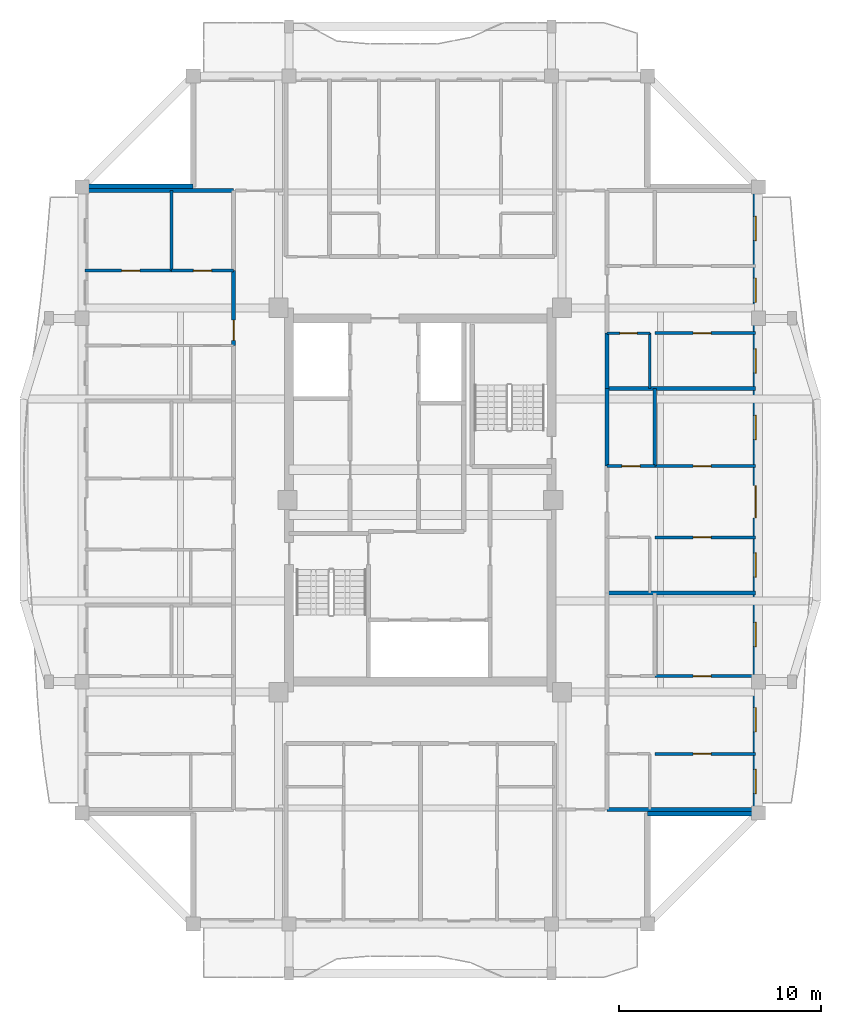
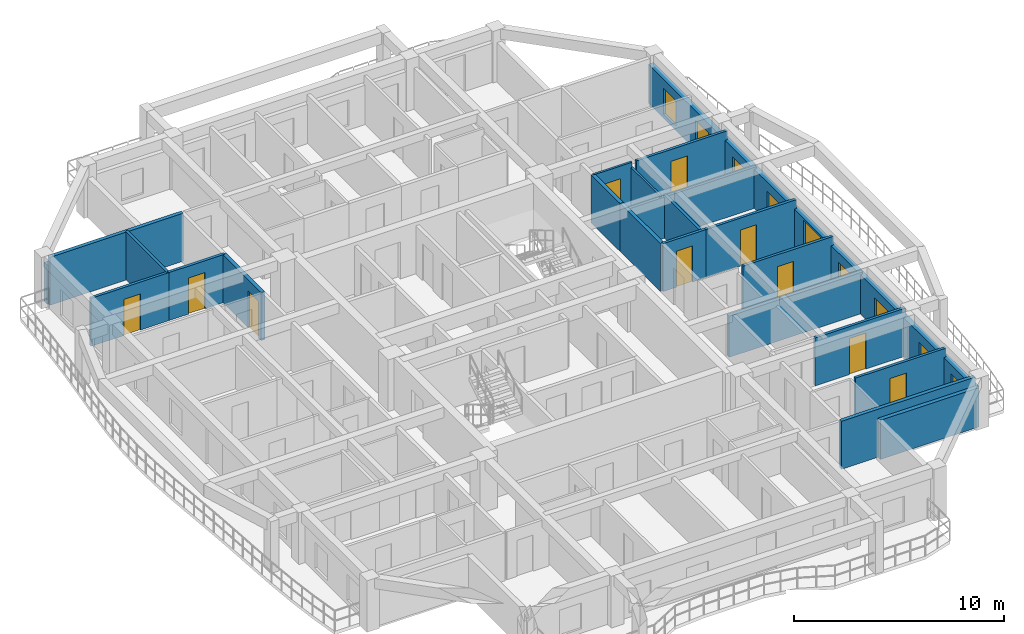
# One storey, part 5 of 13: 22 walls, 11 doors, 8 windows, 19 openings.
"""IFC4 building model written with IfcOpenShell, lengths in metres."""

from ifc_helpers import new_model, si_unit, direction, frame, frame_2d, origin, place, context, subcontext, project, spatial, rectangle, extrude, source, transform, mapped, material, layer, layer_set, type_object, element, fill, save


model = new_model("IFC4")

# Units and contexts
model_context = context("Model", 3, precision=1e-05, world=origin(), true_north=direction((0.0, 1.0)))
body_context = subcontext(model_context, "Body", "Model", "MODEL_VIEW")
ifc_project = project(units=[si_unit("LENGTHUNIT", "METRE"), si_unit("AREAUNIT", "SQUARE_METRE"), si_unit("VOLUMEUNIT", "CUBIC_METRE"), si_unit("PLANEANGLEUNIT", "RADIAN"), si_unit("MASSUNIT", "GRAM", prefix="KILO")], contexts=[model_context])

# Site, building, storey
site_placement = place(None, origin())
site = spatial("IfcSite", under=ifc_project, at=site_placement, CompositionType="ELEMENT")
building_placement = place(site_placement, origin())
building = spatial("IfcBuilding", under=site, at=building_placement, Name="Saelheon Loggia Tower", CompositionType="ELEMENT")
storey_placement = place(building_placement, frame((0.0, 0.0, 223.199951171875)))
storey = spatial("IfcBuildingStorey", under=building, at=storey_placement, Name="L69", CompositionType="ELEMENT", Elevation=223.199951171875)

# Wall, openings, windows, door
ifc_material_1 = material(Name="Architectural Precast Concrete C40/50", Category="concrete")
ifc_layer_1 = layer(ifc_material_1, 0.280029296875)
ifc_layer_set_1 = layer_set([ifc_layer_1], Name="Architectural Precast Concrete C40/50")
wall_type_1 = type_object("IfcWallType", Name="Wall_Ext_Loggia_280", PredefinedType="SOLIDWALL", material=ifc_layer_set_1)
wall_1_placement = place(storey_placement, frame((54.610107421875, 11.5, 0.0), z_axis=(0.0, 0.0, 1.0), x_axis=(0.0, 1.0, 0.0)))
wall_1 = element("IfcWall", 1, at=wall_1_placement, inside=storey, type_object=wall_type_1, Name="L69 East Loggia Inner Wall", PredefinedType="SOLIDWALL", context=body_context, shape_type="SweptSolid", body=[
    extrude(rectangle(XDim=31.0, YDim=0.280029296875, at=frame_2d((15.5, 0.0))), origin(), (0.0, 0.0, 1.0), 2.280029296875),
])
opening_1_placement = place(wall_1_placement, frame((0.9599609375, 0.0, 0.25)))
opening_1 = element("IfcOpeningElement", 2, at=opening_1_placement, cuts=wall_1, Name="Opening WN-03", PredefinedType="OPENING", context=body_context, shape_type="SweptSolid", body=[
    extrude(rectangle(XDim=1.199951171875, YDim=1.5, at=frame_2d((0.60009765625, 0.75))), frame((0.0, 0.152099609375, 0.0), z_axis=(0.0, -1.0, 0.0), x_axis=(1.0, 0.0, 0.0)), (0.0, 0.0, 1.0), 0.303955078125),
])
opening_2_placement = place(wall_1_placement, frame((4.02001953125, 0.0, 0.25)))
opening_2 = element("IfcOpeningElement", 3, at=opening_2_placement, cuts=wall_1, Name="Opening WN-03", PredefinedType="OPENING", context=body_context, shape_type="SweptSolid", body=[
    extrude(rectangle(XDim=1.199951171875, YDim=1.5, at=frame_2d((0.60009765625, 0.75))), frame((0.0, 0.152099609375, 0.0), z_axis=(0.0, -1.0, 0.0), x_axis=(1.0, 0.0, 0.0)), (0.0, 0.0, 1.0), 0.303955078125),
])
opening_3_placement = place(wall_1_placement, frame((8.241943359375, 0.0, 0.25)))
opening_3 = element("IfcOpeningElement", 4, at=opening_3_placement, cuts=wall_1, Name="Opening WN-03", PredefinedType="OPENING", context=body_context, shape_type="SweptSolid", body=[
    extrude(rectangle(XDim=1.199951171875, YDim=1.5, at=frame_2d((0.60009765625, 0.75))), frame((0.0, 0.152099609375, 0.0), z_axis=(0.0, -1.0, 0.0), x_axis=(1.0, 0.0, 0.0)), (0.0, 0.0, 1.0), 0.303955078125),
])
opening_4_placement = place(wall_1_placement, frame((11.678955078125, 0.0, 0.25)))
opening_4 = element("IfcOpeningElement", 5, at=opening_4_placement, cuts=wall_1, Name="Opening WN-03", PredefinedType="OPENING", context=body_context, shape_type="SweptSolid", body=[
    extrude(rectangle(XDim=1.199951171875, YDim=1.5, at=frame_2d((0.60009765625, 0.75))), frame((0.0, 0.152099609375, 0.0), z_axis=(0.0, -1.0, 0.0), x_axis=(1.0, 0.0, 0.0)), (0.0, 0.0, 1.0), 0.303955078125),
])
opening_5_placement = place(wall_1_placement, frame((16.21337890625, 0.0, 0.0), z_axis=(0.0, 0.0, 1.0), x_axis=(-1.0, 0.0, 0.0)))
opening_5 = element("IfcOpeningElement", 6, at=opening_5_placement, cuts=wall_1, Name="Opening DLG-1", PredefinedType="OPENING", context=body_context, shape_type="SweptSolid", body=[
    extrude(rectangle(XDim=1.60009765625, YDim=2.14990234375, at=frame_2d((0.800048828125, 1.074951171875))), frame((0.0, 0.152099609375, 0.0), z_axis=(0.0, -1.0, 0.0), x_axis=(1.0, 0.0, 0.0)), (0.0, 0.0, 1.0), 0.303955078125),
])
opening_6_placement = place(wall_1_placement, frame((18.493896484375, 0.0, 0.25)))
opening_6 = element("IfcOpeningElement", 7, at=opening_6_placement, cuts=wall_1, Name="Opening WN-03", PredefinedType="OPENING", context=body_context, shape_type="SweptSolid", body=[
    extrude(rectangle(XDim=1.199951171875, YDim=1.5, at=frame_2d((0.60009765625, 0.75))), frame((0.0, 0.152099609375, 0.0), z_axis=(0.0, -1.0, 0.0), x_axis=(1.0, 0.0, 0.0)), (0.0, 0.0, 1.0), 0.303955078125),
])
opening_7_placement = place(wall_1_placement, frame((21.787841796875, 0.0, 0.25)))
opening_7 = element("IfcOpeningElement", 8, at=opening_7_placement, cuts=wall_1, Name="Opening WN-03", PredefinedType="OPENING", context=body_context, shape_type="SweptSolid", body=[
    extrude(rectangle(XDim=1.199951171875, YDim=1.5, at=frame_2d((0.60009765625, 0.75))), frame((0.0, 0.152099609375, 0.0), z_axis=(0.0, -1.0, 0.0), x_axis=(1.0, 0.0, 0.0)), (0.0, 0.0, 1.0), 0.303955078125),
])
opening_8_placement = place(wall_1_placement, frame((25.2919921875, 0.0, 0.25)))
opening_8 = element("IfcOpeningElement", 9, at=opening_8_placement, cuts=wall_1, Name="Opening WN-03", PredefinedType="OPENING", context=body_context, shape_type="SweptSolid", body=[
    extrude(rectangle(XDim=1.199951171875, YDim=1.5, at=frame_2d((0.60009765625, 0.75))), frame((0.0, 0.152099609375, 0.0), z_axis=(0.0, -1.0, 0.0), x_axis=(1.0, 0.0, 0.0)), (0.0, 0.0, 1.0), 0.303955078125),
])
opening_9_placement = place(wall_1_placement, frame((28.35205078125, 0.0, 0.25)))
opening_9 = element("IfcOpeningElement", 10, at=opening_9_placement, cuts=wall_1, Name="Opening WN-03", PredefinedType="OPENING", context=body_context, shape_type="SweptSolid", body=[
    extrude(rectangle(XDim=1.199951171875, YDim=1.5, at=frame_2d((0.60009765625, 0.75))), frame((0.0, 0.152099609375, 0.0), z_axis=(0.0, -1.0, 0.0), x_axis=(1.0, 0.0, 0.0)), (0.0, 0.0, 1.0), 0.303955078125),
])
ifc_material_2 = material(Name="Thermal-Break Aluminium and Triple Low-E Glass", Category="aluminium")
window_type = type_object("IfcWindowType", Name="Win_Bedroom_1200x1500", PartitioningType="SINGLE_PANEL", PredefinedType="WINDOW", material=ifc_material_2)
shared_shape_1 = source(origin(), body_context, "Body", "SweptSolid", [
    extrude(rectangle(XDim=1.199951171875, YDim=1.5, at=frame_2d((0.60009765625, 0.75))), frame((0.0, 0.030029296875, 0.0), z_axis=(0.0, -1.0, 0.0), x_axis=(1.0, 0.0, 0.0)), (0.0, 0.0, 1.0), 0.06005859375),
])
window_1_placement = place(opening_1_placement, origin())
window_1 = element("IfcWindow", 11, at=window_1_placement, inside=storey, type_object=window_type, Name="L69 E Dwelling Window 1", OverallHeight=1.5, OverallWidth=1.199951171875, PartitioningType="SINGLE_PANEL", PredefinedType="WINDOW", context=body_context, shape_type="MappedRepresentation", body=[
    mapped(shared_shape_1, transform((0.0, 0.0, 0.0), scale=1.0)),
])
fill(opening_1, window_1)
window_2_placement = place(opening_2_placement, origin())
window_2 = element("IfcWindow", 12, at=window_2_placement, inside=storey, type_object=window_type, Name="L69 E Dwelling Window 2", OverallHeight=1.5, OverallWidth=1.199951171875, PartitioningType="SINGLE_PANEL", PredefinedType="WINDOW", context=body_context, shape_type="MappedRepresentation", body=[
    mapped(shared_shape_1, transform((0.0, 0.0, 0.0), scale=1.0)),
])
fill(opening_2, window_2)
window_3_placement = place(opening_3_placement, origin())
window_3 = element("IfcWindow", 13, at=window_3_placement, inside=storey, type_object=window_type, Name="L69 E Dwelling Window 3", OverallHeight=1.5, OverallWidth=1.199951171875, PartitioningType="SINGLE_PANEL", PredefinedType="WINDOW", context=body_context, shape_type="MappedRepresentation", body=[
    mapped(shared_shape_1, transform((0.0, 0.0, 0.0), scale=1.0)),
])
fill(opening_3, window_3)
window_4_placement = place(opening_4_placement, origin())
window_4 = element("IfcWindow", 14, at=window_4_placement, inside=storey, type_object=window_type, Name="L69 E Dwelling Window 4", OverallHeight=1.5, OverallWidth=1.199951171875, PartitioningType="SINGLE_PANEL", PredefinedType="WINDOW", context=body_context, shape_type="MappedRepresentation", body=[
    mapped(shared_shape_1, transform((0.0, 0.0, 0.0), scale=1.0)),
])
fill(opening_4, window_4)
window_5_placement = place(opening_6_placement, origin())
window_5 = element("IfcWindow", 15, at=window_5_placement, inside=storey, type_object=window_type, Name="L69 E Dwelling Window 6", OverallHeight=1.5, OverallWidth=1.199951171875, PartitioningType="SINGLE_PANEL", PredefinedType="WINDOW", context=body_context, shape_type="MappedRepresentation", body=[
    mapped(shared_shape_1, transform((0.0, 0.0, 0.0), scale=1.0)),
])
fill(opening_6, window_5)
window_6_placement = place(opening_7_placement, origin())
window_6 = element("IfcWindow", 16, at=window_6_placement, inside=storey, type_object=window_type, Name="L69 E Dwelling Window 7", OverallHeight=1.5, OverallWidth=1.199951171875, PartitioningType="SINGLE_PANEL", PredefinedType="WINDOW", context=body_context, shape_type="MappedRepresentation", body=[
    mapped(shared_shape_1, transform((0.0, 0.0, 0.0), scale=1.0)),
])
fill(opening_7, window_6)
window_7_placement = place(opening_8_placement, origin())
window_7 = element("IfcWindow", 17, at=window_7_placement, inside=storey, type_object=window_type, Name="L69 E Dwelling Window 8", OverallHeight=1.5, OverallWidth=1.199951171875, PartitioningType="SINGLE_PANEL", PredefinedType="WINDOW", context=body_context, shape_type="MappedRepresentation", body=[
    mapped(shared_shape_1, transform((0.0, 0.0, 0.0), scale=1.0)),
])
fill(opening_8, window_7)
window_8_placement = place(opening_9_placement, origin())
window_8 = element("IfcWindow", 18, at=window_8_placement, inside=storey, type_object=window_type, Name="L69 E Dwelling Window 9", OverallHeight=1.5, OverallWidth=1.199951171875, PartitioningType="SINGLE_PANEL", PredefinedType="WINDOW", context=body_context, shape_type="MappedRepresentation", body=[
    mapped(shared_shape_1, transform((0.0, 0.0, 0.0), scale=1.0)),
])
fill(opening_9, window_8)
ifc_material_3 = material(Name="Thermal-Break Aluminium Sliding Glazed Door", Category="aluminium")
door_type_1 = type_object("IfcDoorType", Name="Door_LoggiaSlide_1600", OperationType="SLIDING_TO_LEFT", PredefinedType="DOOR", material=ifc_material_3)
shared_shape_2 = source(origin(), body_context, "Body", "SweptSolid", [
    extrude(rectangle(XDim=1.60009765625, YDim=2.14990234375, at=frame_2d((0.800048828125, 1.074951171875))), frame((0.0, 0.02490234375, 0.0), z_axis=(0.0, -1.0, 0.0), x_axis=(1.0, 0.0, 0.0)), (0.0, 0.0, 1.0), 0.050048828125),
])
door_1_placement = place(opening_5_placement, origin())
door_1 = element("IfcDoor", 19, at=door_1_placement, inside=storey, type_object=door_type_1, Name="L69 E Loggia Access Door", OperationType="SLIDING_TO_LEFT", OverallHeight=2.14990234375, OverallWidth=1.60009765625, PredefinedType="DOOR", context=body_context, shape_type="MappedRepresentation", body=[
    mapped(shared_shape_2, transform((0.0, 0.0, 0.0), scale=1.0)),
])
fill(opening_5, door_1)

# Walls
for number, where, z_axis, x_axis, name in (
    (20, (49.25, 11.5, 0.0), (0.0, 0.0, 1.0), (1.0, 0.0, 0.0), "L69 Corner Notch Precast Wall SE2"),
    (21, (21.330078125, 42.5, 0.0), (0.0, 0.0, 1.0), (1.0, 0.0, 0.0), "L69 Corner Notch Precast Wall NW2"),
):
    element("IfcWall", number, at=place(storey_placement, frame(where, z_axis=z_axis, x_axis=x_axis)), inside=storey, type_object=wall_type_1, Name=name, PredefinedType="SOLIDWALL", context=body_context, shape_type="SweptSolid", body=[
        extrude(rectangle(XDim=5.419921875, YDim=0.280029296875, at=frame_2d((2.7099609375, 0.0))), origin(), (0.0, 0.0, 1.0), 2.280029296875),
    ])
ifc_material_4 = material(Name="Lightweight Autoclaved Aerated Concrete Block and Acoustic Gypsum", Category="concrete")
ifc_layer_2 = layer(ifc_material_4, 0.14990234375)
ifc_layer_set_2 = layer_set([ifc_layer_2], Name="Lightweight Autoclaved Aerated Concrete Block and Acoustic Gypsum")
wall_type_2 = type_object("IfcWallType", Name="Wall_Part_150", PredefinedType="PARTITIONING", material=ifc_layer_set_2)
wall_2_placement = place(storey_placement, frame((25.669921875, 38.361328125, 0.0), z_axis=(0.0, 0.0, 1.0), x_axis=(0.0, 1.0, 0.0)))
element("IfcWall", 22, at=wall_2_placement, inside=storey, type_object=wall_type_2, Name="L69 W Partition V29", PredefinedType="PARTITIONING", context=body_context, shape_type="SweptSolid", body=[
    extrude(rectangle(XDim=3.958740234375, YDim=0.14990234375, at=frame_2d((1.9794921875, 0.0))), origin(), (0.0, 0.0, 1.0), 2.7900390625),
])

# Wall, opening, door
wall_3_placement = place(storey_placement, frame((28.75, 38.361328125, 0.0), z_axis=(0.0, 0.0, 1.0), x_axis=(-1.0, 0.0, 0.0)))
wall_3 = element("IfcWall", 23, at=wall_3_placement, inside=storey, type_object=wall_type_2, Name="L69 W Partition U33", PredefinedType="PARTITIONING", context=body_context, shape_type="SweptSolid", body=[
    extrude(rectangle(XDim=3.080078125, YDim=0.14990234375, at=frame_2d((1.5400390625, 0.0))), origin(), (0.0, 0.0, 1.0), 2.7900390625),
])
opening_10_placement = place(wall_3_placement, frame((1.090087890625, 0.0, 0.0)))
opening_10 = element("IfcOpeningElement", 24, at=opening_10_placement, cuts=wall_3, Name="Opening D-IN2", PredefinedType="OPENING", context=body_context, shape_type="SweptSolid", body=[
    extrude(rectangle(XDim=0.89990234375, YDim=2.10009765625, at=frame_2d((0.449951171875, 1.050048828125))), frame((0.0, 0.0869140625, 0.0), z_axis=(0.0, -1.0, 0.0), x_axis=(1.0, 0.0, 0.0)), (0.0, 0.0, 1.0), 0.173828125),
])
ifc_material_5 = material(Name="Engineered Oak Flush Door", Category="timber")
door_type_2 = type_object("IfcDoorType", Name="Door_Int_900", OperationType="NOTDEFINED", PredefinedType="DOOR", material=ifc_material_5)
shared_shape_3 = source(origin(), body_context, "Body", "SweptSolid", [
    extrude(rectangle(XDim=0.89990234375, YDim=2.10009765625, at=frame_2d((0.449951171875, 1.050048828125))), frame((0.0, 0.02490234375, 0.0), z_axis=(0.0, -1.0, 0.0), x_axis=(1.0, 0.0, 0.0)), (0.0, 0.0, 1.0), 0.050048828125),
])
door_2_placement = place(opening_10_placement, origin())
door_2 = element("IfcDoor", 25, at=door_2_placement, inside=storey, type_object=door_type_2, Name="Unit U07 Dressing Closet Door", OperationType="SINGLE_SWING_RIGHT", OverallHeight=2.10009765625, OverallWidth=0.89990234375, PredefinedType="DOOR", context=body_context, shape_type="MappedRepresentation", body=[
    mapped(shared_shape_3, transform((0.0, 0.0, 0.0), scale=1.0)),
])
fill(opening_10, door_2)

wall_4_placement = place(storey_placement, frame((25.669921875, 38.361328125, 0.0), z_axis=(0.0, 0.0, 1.0), x_axis=(-1.0, 0.0, 0.0)))
wall_4 = element("IfcWall", 26, at=wall_4_placement, inside=storey, type_object=wall_type_2, Name="L69 W Partition U34", PredefinedType="PARTITIONING", context=body_context, shape_type="SweptSolid", body=[
    extrude(rectangle(XDim=4.27001953125, YDim=0.14990234375, at=frame_2d((2.135009765625, 0.0))), origin(), (0.0, 0.0, 1.0), 2.7900390625),
])
opening_11_placement = place(wall_4_placement, frame((1.564697265625, 0.0, 0.0)))
opening_11 = element("IfcOpeningElement", 27, at=opening_11_placement, cuts=wall_4, Name="Opening D-IN2", PredefinedType="OPENING", context=body_context, shape_type="SweptSolid", body=[
    extrude(rectangle(XDim=0.89990234375, YDim=2.10009765625, at=frame_2d((0.449951171875, 1.050048828125))), frame((0.0, 0.0869140625, 0.0), z_axis=(0.0, -1.0, 0.0), x_axis=(1.0, 0.0, 0.0)), (0.0, 0.0, 1.0), 0.173828125),
])
door_3_placement = place(opening_11_placement, origin())
door_3 = element("IfcDoor", 28, at=door_3_placement, inside=storey, type_object=door_type_2, Name="Unit U07 Bedroom 1 Door", OperationType="SINGLE_SWING_LEFT", OverallHeight=2.10009765625, OverallWidth=0.89990234375, PredefinedType="DOOR", context=body_context, shape_type="MappedRepresentation", body=[
    mapped(shared_shape_3, transform((0.0, 0.0, 0.0), scale=1.0)),
])
fill(opening_11, door_3)

wall_5_placement = place(storey_placement, frame((49.610107421875, 14.429931640625, 0.0), z_axis=(0.0, 0.0, 1.0), x_axis=(1.0, 0.0, 0.0)))
wall_5 = element("IfcWall", 29, at=wall_5_placement, inside=storey, type_object=wall_type_2, Name="L69 E Partition U09", PredefinedType="PARTITIONING", context=body_context, shape_type="SweptSolid", body=[
    extrude(rectangle(XDim=4.989990234375, YDim=0.14990234375, at=frame_2d((2.4951171875, 0.0))), origin(), (0.0, 0.0, 1.0), 2.7900390625),
])
opening_12_placement = place(wall_5_placement, frame((1.89453125, 0.0, 0.0)))
opening_12 = element("IfcOpeningElement", 30, at=opening_12_placement, cuts=wall_5, Name="Opening D-IN2", PredefinedType="OPENING", context=body_context, shape_type="SweptSolid", body=[
    extrude(rectangle(XDim=0.89990234375, YDim=2.10009765625, at=frame_2d((0.449951171875, 1.050048828125))), frame((0.0, 0.0869140625, 0.0), z_axis=(0.0, -1.0, 0.0), x_axis=(1.0, 0.0, 0.0)), (0.0, 0.0, 1.0), 0.173828125),
])
door_4_placement = place(opening_12_placement, origin())
door_4 = element("IfcDoor", 31, at=door_4_placement, inside=storey, type_object=door_type_2, Name="Unit U08 Kitchen Door", OperationType="SINGLE_SWING_RIGHT", OverallHeight=2.10009765625, OverallWidth=0.89990234375, PredefinedType="DOOR", context=body_context, shape_type="MappedRepresentation", body=[
    mapped(shared_shape_3, transform((0.0, 0.0, 0.0), scale=1.0)),
])
fill(opening_12, door_4)

wall_6_placement = place(storey_placement, frame((49.610107421875, 18.280029296875, 0.0), z_axis=(0.0, 0.0, 1.0), x_axis=(1.0, 0.0, 0.0)))
wall_6 = element("IfcWall", 32, at=wall_6_placement, inside=storey, type_object=wall_type_2, Name="L69 E Partition U11", PredefinedType="PARTITIONING", context=body_context, shape_type="SweptSolid", body=[
    extrude(rectangle(XDim=4.989990234375, YDim=0.14990234375, at=frame_2d((2.4951171875, 0.0))), origin(), (0.0, 0.0, 1.0), 2.7900390625),
])
opening_13_placement = place(wall_6_placement, frame((1.89453125, 0.0, 0.0)))
opening_13 = element("IfcOpeningElement", 33, at=opening_13_placement, cuts=wall_6, Name="Opening D-IN2", PredefinedType="OPENING", context=body_context, shape_type="SweptSolid", body=[
    extrude(rectangle(XDim=0.89990234375, YDim=2.10009765625, at=frame_2d((0.449951171875, 1.050048828125))), frame((0.0, 0.0869140625, 0.0), z_axis=(0.0, -1.0, 0.0), x_axis=(1.0, 0.0, 0.0)), (0.0, 0.0, 1.0), 0.173828125),
])
door_5_placement = place(opening_13_placement, origin())
door_5 = element("IfcDoor", 34, at=door_5_placement, inside=storey, type_object=door_type_2, Name="Unit U08 Bedroom 1 Door", OperationType="SINGLE_SWING_RIGHT", OverallHeight=2.10009765625, OverallWidth=0.89990234375, PredefinedType="DOOR", context=body_context, shape_type="MappedRepresentation", body=[
    mapped(shared_shape_3, transform((0.0, 0.0, 0.0), scale=1.0)),
])
fill(opening_13, door_5)

# Wall
wall_7_placement = place(storey_placement, frame((49.610107421875, 28.6728515625, 0.0), z_axis=(0.0, 0.0, 1.0), x_axis=(0.0, 1.0, 0.0)))
element("IfcWall", 35, at=wall_7_placement, inside=storey, type_object=wall_type_2, Name="L69 E Partition V17", PredefinedType="PARTITIONING", context=body_context, shape_type="SweptSolid", body=[
    extrude(rectangle(XDim=3.84228515625, YDim=0.14990234375, at=frame_2d((1.921142578125, 0.0))), origin(), (0.0, 0.0, 1.0), 2.489990234375),
])

# Wall, opening, door
wall_8_placement = place(storey_placement, frame((49.610107421875, 25.154052734375, 0.0), z_axis=(0.0, 0.0, 1.0), x_axis=(1.0, 0.0, 0.0)))
wall_8 = element("IfcWall", 36, at=wall_8_placement, inside=storey, type_object=wall_type_2, Name="L69 E Partition U19", PredefinedType="PARTITIONING", context=body_context, shape_type="SweptSolid", body=[
    extrude(rectangle(XDim=4.989990234375, YDim=0.14990234375, at=frame_2d((2.4951171875, 0.0))), origin(), (0.0, 0.0, 1.0), 2.7900390625),
])
opening_14_placement = place(wall_8_placement, frame((1.89453125, 0.0, 0.0)))
opening_14 = element("IfcOpeningElement", 37, at=opening_14_placement, cuts=wall_8, Name="Opening D-IN2", PredefinedType="OPENING", context=body_context, shape_type="SweptSolid", body=[
    extrude(rectangle(XDim=0.89990234375, YDim=2.10009765625, at=frame_2d((0.449951171875, 1.050048828125))), frame((0.0, 0.0869140625, 0.0), z_axis=(0.0, -1.0, 0.0), x_axis=(1.0, 0.0, 0.0)), (0.0, 0.0, 1.0), 0.173828125),
])
door_6_placement = place(opening_14_placement, origin())
door_6 = element("IfcDoor", 38, at=door_6_placement, inside=storey, type_object=door_type_2, Name="Unit U09 Kitchen Door", OperationType="SINGLE_SWING_LEFT", OverallHeight=2.10009765625, OverallWidth=0.89990234375, PredefinedType="DOOR", context=body_context, shape_type="MappedRepresentation", body=[
    mapped(shared_shape_3, transform((0.0, 0.0, 0.0), scale=1.0)),
])
fill(opening_14, door_6)

wall_9_placement = place(storey_placement, frame((47.25, 28.6728515625, 0.0), z_axis=(0.0, 0.0, 1.0), x_axis=(1.0, 0.0, 0.0)))
wall_9 = element("IfcWall", 39, at=wall_9_placement, inside=storey, type_object=wall_type_2, Name="L69 E Partition U20", PredefinedType="PARTITIONING", context=body_context, shape_type="SweptSolid", body=[
    extrude(rectangle(XDim=2.360107421875, YDim=0.14990234375, at=frame_2d((1.18017578125, 0.0))), origin(), (0.0, 0.0, 1.0), 2.7900390625),
])
opening_15_placement = place(wall_9_placement, frame((0.72998046875, 0.0, 0.0)))
opening_15 = element("IfcOpeningElement", 40, at=opening_15_placement, cuts=wall_9, Name="Opening D-IN2", PredefinedType="OPENING", context=body_context, shape_type="SweptSolid", body=[
    extrude(rectangle(XDim=0.89990234375, YDim=2.10009765625, at=frame_2d((0.449951171875, 1.050048828125))), frame((0.0, 0.0869140625, 0.0), z_axis=(0.0, -1.0, 0.0), x_axis=(1.0, 0.0, 0.0)), (0.0, 0.0, 1.0), 0.173828125),
])
door_7_placement = place(opening_15_placement, origin())
door_7 = element("IfcDoor", 41, at=door_7_placement, inside=storey, type_object=door_type_2, Name="Unit U09 Dressing Closet Door", OperationType="SINGLE_SWING_RIGHT", OverallHeight=2.10009765625, OverallWidth=0.89990234375, PredefinedType="DOOR", context=body_context, shape_type="MappedRepresentation", body=[
    mapped(shared_shape_3, transform((0.0, 0.0, 0.0), scale=1.0)),
])
fill(opening_15, door_7)

wall_10_placement = place(storey_placement, frame((49.610107421875, 28.6728515625, 0.0), z_axis=(0.0, 0.0, 1.0), x_axis=(1.0, 0.0, 0.0)))
wall_10 = element("IfcWall", 42, at=wall_10_placement, inside=storey, type_object=wall_type_2, Name="L69 E Partition U21", PredefinedType="PARTITIONING", context=body_context, shape_type="SweptSolid", body=[
    extrude(rectangle(XDim=4.989990234375, YDim=0.14990234375, at=frame_2d((2.4951171875, 0.0))), origin(), (0.0, 0.0, 1.0), 2.7900390625),
])
opening_16_placement = place(wall_10_placement, frame((1.89453125, 0.0, 0.0)))
opening_16 = element("IfcOpeningElement", 43, at=opening_16_placement, cuts=wall_10, Name="Opening D-IN2", PredefinedType="OPENING", context=body_context, shape_type="SweptSolid", body=[
    extrude(rectangle(XDim=0.89990234375, YDim=2.10009765625, at=frame_2d((0.449951171875, 1.050048828125))), frame((0.0, 0.0869140625, 0.0), z_axis=(0.0, -1.0, 0.0), x_axis=(1.0, 0.0, 0.0)), (0.0, 0.0, 1.0), 0.173828125),
])
door_8_placement = place(opening_16_placement, origin())
door_8 = element("IfcDoor", 44, at=door_8_placement, inside=storey, type_object=door_type_2, Name="Unit U09 Bedroom 1 Door", OperationType="SINGLE_SWING_LEFT", OverallHeight=2.10009765625, OverallWidth=0.89990234375, PredefinedType="DOOR", context=body_context, shape_type="MappedRepresentation", body=[
    mapped(shared_shape_3, transform((0.0, 0.0, 0.0), scale=1.0)),
])
fill(opening_16, door_8)

wall_11_placement = place(storey_placement, frame((49.610107421875, 35.260498046875, 0.0), z_axis=(0.0, 0.0, 1.0), x_axis=(1.0, 0.0, 0.0)))
wall_11 = element("IfcWall", 45, at=wall_11_placement, inside=storey, type_object=wall_type_2, Name="L69 E Partition U29", PredefinedType="PARTITIONING", context=body_context, shape_type="SweptSolid", body=[
    extrude(rectangle(XDim=4.989990234375, YDim=0.14990234375, at=frame_2d((2.4951171875, 0.0))), origin(), (0.0, 0.0, 1.0), 2.7900390625),
])
opening_17_placement = place(wall_11_placement, frame((1.89453125, 0.0, 0.0)))
opening_17 = element("IfcOpeningElement", 46, at=opening_17_placement, cuts=wall_11, Name="Opening D-IN2", PredefinedType="OPENING", context=body_context, shape_type="SweptSolid", body=[
    extrude(rectangle(XDim=0.89990234375, YDim=2.10009765625, at=frame_2d((0.449951171875, 1.050048828125))), frame((0.0, 0.0869140625, 0.0), z_axis=(0.0, -1.0, 0.0), x_axis=(1.0, 0.0, 0.0)), (0.0, 0.0, 1.0), 0.173828125),
])
door_9_placement = place(opening_17_placement, origin())
door_9 = element("IfcDoor", 47, at=door_9_placement, inside=storey, type_object=door_type_2, Name="Unit U10 Kitchen Door", OperationType="SINGLE_SWING_RIGHT", OverallHeight=2.10009765625, OverallWidth=0.89990234375, PredefinedType="DOOR", context=body_context, shape_type="MappedRepresentation", body=[
    mapped(shared_shape_3, transform((0.0, 0.0, 0.0), scale=1.0)),
])
fill(opening_17, door_9)

# Wall
ifc_material_6 = material(Name="Double Acoustic Stud and Fireboard Partition", Category="gypsum")
ifc_layer_3 = layer(ifc_material_6, 0.199951171875)
ifc_layer_set_3 = layer_set([ifc_layer_3], Name="Double Acoustic Stud and Fireboard Partition")
wall_type_3 = type_object("IfcWallType", Name="Wall_Party_200", PredefinedType="PARTITIONING", material=ifc_layer_set_3)
wall_12_placement = place(storey_placement, frame((28.75, 42.320068359375, 0.0), z_axis=(0.0, 0.0, 1.0), x_axis=(-1.0, 0.0, 0.0)))
element("IfcWall", 48, at=wall_12_placement, inside=storey, type_object=wall_type_3, Name="L69 W Partition U02", PredefinedType="PARTITIONING", context=body_context, shape_type="SweptSolid", body=[
    extrude(rectangle(XDim=7.35009765625, YDim=0.199951171875, at=frame_2d((3.675048828125, 0.0))), origin(), (0.0, 0.0, 1.0), 2.7900390625),
])

# Wall, opening, door
wall_13_placement = place(storey_placement, frame((28.75, 34.65234375, 0.0), z_axis=(0.0, 0.0, 1.0), x_axis=(0.0, 1.0, 0.0)))
wall_13 = element("IfcWall", 49, at=wall_13_placement, inside=storey, type_object=wall_type_3, Name="L69 W Partition V26", PredefinedType="PARTITIONING", context=body_context, shape_type="SweptSolid", body=[
    extrude(rectangle(XDim=3.708984375, YDim=0.199951171875, at=frame_2d((1.8544921875, 0.0))), origin(), (0.0, 0.0, 1.0), 2.7900390625),
])
opening_18_placement = place(wall_13_placement, frame((0.260009765625, 0.0, 0.0)))
opening_18 = element("IfcOpeningElement", 50, at=opening_18_placement, cuts=wall_13, Name="Opening D-FD1", PredefinedType="OPENING", context=body_context, shape_type="SweptSolid", body=[
    extrude(rectangle(XDim=1.0, YDim=2.14990234375, at=frame_2d((0.5, 1.074951171875))), frame((0.0, 0.112060546875, 0.0), z_axis=(0.0, -1.0, 0.0), x_axis=(1.0, 0.0, 0.0)), (0.0, 0.0, 1.0), 0.223876953125),
])
ifc_material_7 = material(Name="Fire-Rated Engineered Timber Entrance Door", Category="wood")
door_type_3 = type_object("IfcDoorType", Name="Door_Flat_FD30S", OperationType="NOTDEFINED", PredefinedType="DOOR", material=ifc_material_7)
shared_shape_4 = source(origin(), body_context, "Body", "SweptSolid", [
    extrude(rectangle(XDim=1.0, YDim=2.14990234375, at=frame_2d((0.5, 1.074951171875))), frame((0.0, 0.02490234375, 0.0), z_axis=(0.0, -1.0, 0.0), x_axis=(1.0, 0.0, 0.0)), (0.0, 0.0, 1.0), 0.050048828125),
])
door_10_placement = place(opening_18_placement, origin())
door_10 = element("IfcDoor", 51, at=door_10_placement, inside=storey, type_object=door_type_3, Name="Unit U07 Entrance Door", OperationType="SINGLE_SWING_LEFT", OverallHeight=2.14990234375, OverallWidth=1.0, PredefinedType="DOOR", context=body_context, shape_type="MappedRepresentation", body=[
    mapped(shared_shape_4, transform((0.0, 0.0, 0.0), scale=1.0)),
])
fill(opening_18, door_10)

# Walls
wall_14_placement = place(storey_placement, frame((47.25, 11.679931640625, 0.0), z_axis=(0.0, 0.0, 1.0), x_axis=(1.0, 0.0, 0.0)))
element("IfcWall", 52, at=wall_14_placement, inside=storey, type_object=wall_type_3, Name="L69 E Partition U01", PredefinedType="PARTITIONING", context=body_context, shape_type="SweptSolid", body=[
    extrude(rectangle(XDim=7.35009765625, YDim=0.199951171875, at=frame_2d((3.675048828125, 0.0))), origin(), (0.0, 0.0, 1.0), 2.7900390625),
])
wall_15_placement = place(storey_placement, frame((47.25, 22.404052734375, 0.0), z_axis=(0.0, 0.0, 1.0), x_axis=(1.0, 0.0, 0.0)))
element("IfcWall", 53, at=wall_15_placement, inside=storey, type_object=wall_type_3, Name="L69 E Partition U12", PredefinedType="PARTITIONING", context=body_context, shape_type="SweptSolid", body=[
    extrude(rectangle(XDim=7.35009765625, YDim=0.199951171875, at=frame_2d((3.675048828125, 0.0))), origin(), (0.0, 0.0, 1.0), 2.39013671875),
])
wall_16_placement = place(storey_placement, frame((47.25, 28.6728515625, 0.0), z_axis=(0.0, 0.0, 1.0), x_axis=(0.0, 1.0, 0.0)))
element("IfcWall", 54, at=wall_16_placement, inside=storey, type_object=wall_type_3, Name="L69 E Partition V15", PredefinedType="PARTITIONING", context=body_context, shape_type="SweptSolid", body=[
    extrude(rectangle(XDim=3.84228515625, YDim=0.199951171875, at=frame_2d((1.921142578125, 0.0))), origin(), (0.0, 0.0, 1.0), 2.7900390625),
])
wall_17_placement = place(storey_placement, frame((47.25, 32.51513671875, 0.0), z_axis=(0.0, 0.0, 1.0), x_axis=(1.0, 0.0, 0.0)))
element("IfcWall", 55, at=wall_17_placement, inside=storey, type_object=wall_type_3, Name="L69 E Partition U22", PredefinedType="PARTITIONING", context=body_context, shape_type="SweptSolid", body=[
    extrude(rectangle(XDim=7.35009765625, YDim=0.199951171875, at=frame_2d((3.675048828125, 0.0))), origin(), (0.0, 0.0, 1.0), 2.39013671875),
])
wall_18_placement = place(storey_placement, frame((47.25, 32.51513671875, 0.0), z_axis=(0.0, 0.0, 1.0), x_axis=(0.0, 1.0, 0.0)))
element("IfcWall", 56, at=wall_18_placement, inside=storey, type_object=wall_type_3, Name="L69 E Partition V23", PredefinedType="PARTITIONING", context=body_context, shape_type="SweptSolid", body=[
    extrude(rectangle(XDim=2.745361328125, YDim=0.199951171875, at=frame_2d((1.37255859375, 0.0))), origin(), (0.0, 0.0, 1.0), 2.7900390625),
])
ifc_material_8 = material(Name="Moisture-Resistant Cement Board Partition", Category="gypsum")
ifc_layer_4 = layer(ifc_material_8, 0.1201171875)
ifc_layer_set_4 = layer_set([ifc_layer_4], Name="Moisture-Resistant Cement Board Partition")
wall_type_4 = type_object("IfcWallType", Name="Wall_WetPart_120", PredefinedType="PARTITIONING", material=ifc_layer_set_4)
wall_19_placement = place(storey_placement, frame((49.3701171875, 32.51513671875, 0.0), z_axis=(0.0, 0.0, 1.0), x_axis=(0.0, 1.0, 0.0)))
element("IfcWall", 57, at=wall_19_placement, inside=storey, type_object=wall_type_4, Name="L69 E Partition V26", PredefinedType="PARTITIONING", context=body_context, shape_type="SweptSolid", body=[
    extrude(rectangle(XDim=2.745361328125, YDim=0.1201171875, at=frame_2d((1.37255859375, 0.0))), origin(), (0.0, 0.0, 1.0), 2.489990234375),
])

# Wall, opening, door
wall_20_placement = place(storey_placement, frame((47.25, 35.260498046875, 0.0), z_axis=(0.0, 0.0, 1.0), x_axis=(1.0, 0.0, 0.0)))
wall_20 = element("IfcWall", 58, at=wall_20_placement, inside=storey, type_object=wall_type_4, Name="L69 E Partition U28", PredefinedType="PARTITIONING", context=body_context, shape_type="SweptSolid", body=[
    extrude(rectangle(XDim=2.1201171875, YDim=0.1201171875, at=frame_2d((1.06005859375, 0.0))), origin(), (0.0, 0.0, 1.0), 2.7900390625),
])
opening_19_placement = place(wall_20_placement, frame((0.635009765625, 0.0, 0.0)))
opening_19 = element("IfcOpeningElement", 59, at=opening_19_placement, cuts=wall_20, Name="Opening D-BT1", PredefinedType="OPENING", context=body_context, shape_type="SweptSolid", body=[
    extrude(rectangle(XDim=0.85009765625, YDim=2.050048828125, at=frame_2d((0.425048828125, 1.02490234375))), frame((0.0, 0.072021484375, 0.0), z_axis=(0.0, -1.0, 0.0), x_axis=(1.0, 0.0, 0.0)), (0.0, 0.0, 1.0), 0.14404296875),
])
ifc_material_9 = material(Name="Moisture-Resistant Laminate Timber Door", Category="wood")
door_type_4 = type_object("IfcDoorType", Name="Door_Bath_850", OperationType="NOTDEFINED", PredefinedType="DOOR", material=ifc_material_9)
shared_shape_5 = source(origin(), body_context, "Body", "SweptSolid", [
    extrude(rectangle(XDim=0.85009765625, YDim=2.050048828125, at=frame_2d((0.425048828125, 1.02490234375))), frame((0.0, 0.02490234375, 0.0), z_axis=(0.0, -1.0, 0.0), x_axis=(1.0, 0.0, 0.0)), (0.0, 0.0, 1.0), 0.050048828125),
])
door_11_placement = place(opening_19_placement, origin())
door_11 = element("IfcDoor", 60, at=door_11_placement, inside=storey, type_object=door_type_4, Name="Unit U10 Bathroom Door", OperationType="SINGLE_SWING_LEFT", OverallHeight=2.050048828125, OverallWidth=0.85009765625, PredefinedType="DOOR", context=body_context, shape_type="MappedRepresentation", body=[
    mapped(shared_shape_5, transform((0.0, 0.0, 0.0), scale=1.0)),
])
fill(opening_19, door_11)

save(model, "model.ifc")
